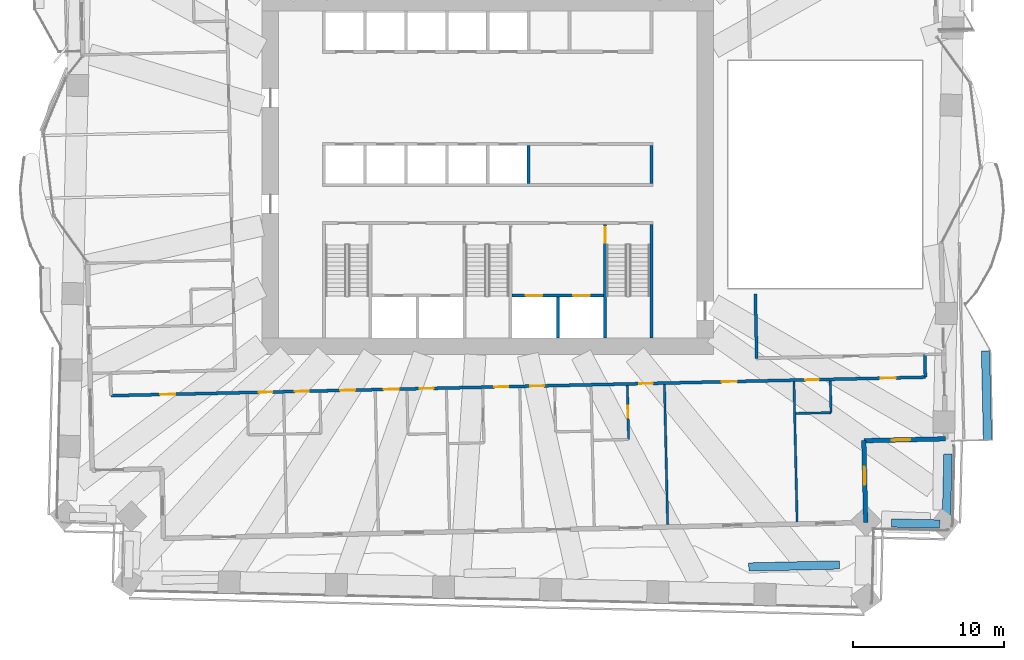
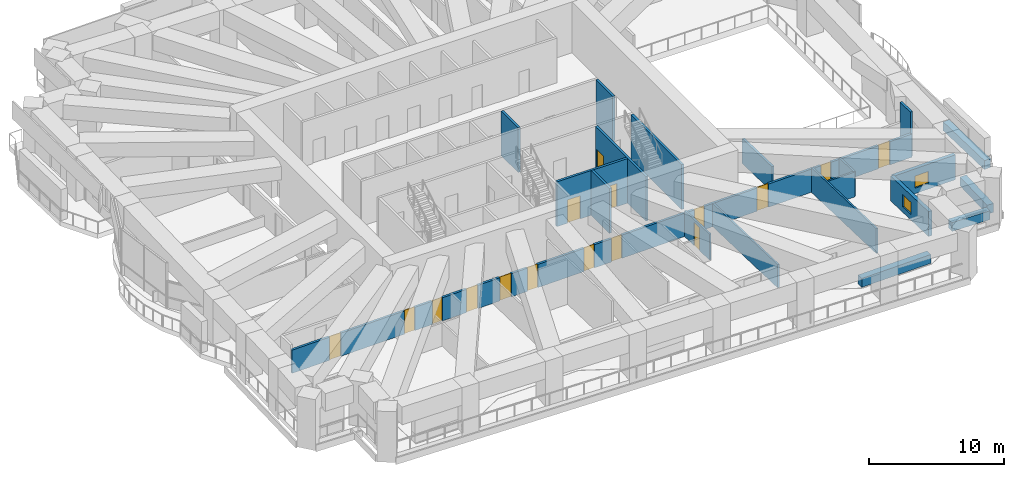
# One storey, part 12 of 20: 20 walls, 16 doors, 2 windows, 18 openings.
"""IFC4 building model written with IfcOpenShell, lengths in metres."""

from ifc_helpers import new_model, si_unit, direction, frame, frame_2d, origin, place, context, subcontext, project, spatial, rectangle, extrude, material, layer, layer_set, type_object, element, fill, save


model = new_model("IFC4")

# Units and contexts
model_context = context("Model", 3, precision=1e-05, world=origin(), true_north=direction((0.0, 1.0)))
body_context = subcontext(model_context, "Body", "Model", "MODEL_VIEW")
ifc_project = project(units=[si_unit("LENGTHUNIT", "METRE"), si_unit("AREAUNIT", "SQUARE_METRE"), si_unit("VOLUMEUNIT", "CUBIC_METRE"), si_unit("PLANEANGLEUNIT", "RADIAN"), si_unit("MASSUNIT", "GRAM", prefix="KILO")], contexts=[model_context])

# Site, building, storey
site_placement = place(None, origin())
site = spatial("IfcSite", under=ifc_project, at=site_placement, CompositionType="ELEMENT")
building_placement = place(site_placement, origin())
building = spatial("IfcBuilding", under=site, at=building_placement, Name="Mangrove Gate Tower", CompositionType="ELEMENT")
storey_placement = place(building_placement, frame((0.0, 0.0, 74.699951171875)))
storey = spatial("IfcBuildingStorey", under=building, at=storey_placement, Name="L18", CompositionType="ELEMENT", Elevation=74.699951171875)

# Wall
ifc_material_1 = material(Name="Concrete C32/40", Category="concrete")
ifc_layer_1 = layer(ifc_material_1, 0.199951171875)
ifc_layer_set_1 = layer_set([ifc_layer_1], Name="Core room wall 200 C32/40")
wall_type_1 = type_object("IfcWallType", Name="Core room wall 200 C32/40", PredefinedType="STANDARD", material=ifc_layer_set_1)
wall_1_placement = place(storey_placement, frame((10.800048828125, -0.60009765625, 0.0), z_axis=(0.0, 0.0, 1.0), x_axis=(0.0, 1.0, 0.0)))
element("IfcWall", 1, at=wall_1_placement, inside=storey, type_object=wall_type_1, Name="WALL-L18-CORE-25", PredefinedType="STANDARD", context=body_context, shape_type="SweptSolid", body=[
    extrude(rectangle(XDim=2.5, YDim=0.199951171875, at=frame_2d((1.25, 0.0))), origin(), (0.0, 0.0, 1.0), 4.050048828125),
])

# Wall, openings, doors
ifc_material_2 = material(Name="Concrete C70/85", Category="concrete")
ifc_layer_2 = layer(ifc_material_2, 0.199951171875)
ifc_layer_set_2 = layer_set([ifc_layer_2], Name="Core shaft wall 200 C70/85")
wall_type_2 = type_object("IfcWallType", Name="Core shaft wall 200 C70/85", PredefinedType="SHEAR", material=ifc_layer_set_2)
wall_2_placement = place(storey_placement, frame((1.60009765625, -8.0, 0.0), z_axis=(0.0, 0.0, 1.0), x_axis=(1.0, 0.0, 0.0)))
wall_2 = element("IfcWall", 2, at=wall_2_placement, inside=storey, type_object=wall_type_2, Name="WALL-L18-CORE-17", PredefinedType="SHEAR", context=body_context, shape_type="SweptSolid", body=[
    extrude(rectangle(XDim=6.0498046875, YDim=0.199951171875, at=frame_2d((3.02490234375, 0.0))), origin(), (0.0, 0.0, 1.0), 4.050048828125),
])
opening_1_placement = place(wall_2_placement, frame((0.91259765625, 0.0, 0.0)))
opening_1 = element("IfcOpeningElement", 3, at=opening_1_placement, cuts=wall_2, Name="Opening LD", PredefinedType="OPENING", context=body_context, shape_type="SweptSolid", body=[
    extrude(rectangle(XDim=1.10009765625, YDim=2.10009765625, at=frame_2d((0.550048828125, 1.050048828125))), frame((0.0, 0.10986328125, 0.0), z_axis=(0.0, -1.0, 0.0), x_axis=(1.0, 0.0, 0.0)), (0.0, 0.0, 1.0), 0.219970703125),
])
opening_2_placement = place(wall_2_placement, frame((4.03759765625, 0.0, 0.0)))
opening_2 = element("IfcOpeningElement", 4, at=opening_2_placement, cuts=wall_2, Name="Opening LD", PredefinedType="OPENING", context=body_context, shape_type="SweptSolid", body=[
    extrude(rectangle(XDim=1.10009765625, YDim=2.10009765625, at=frame_2d((0.550048828125, 1.050048828125))), frame((0.0, 0.10986328125, 0.0), z_axis=(0.0, -1.0, 0.0), x_axis=(1.0, 0.0, 0.0)), (0.0, 0.0, 1.0), 0.219970703125),
])
ifc_material_3 = material(Name="Stainless steel 316", Category="steel")
door_type_1 = type_object("IfcDoorType", Name="Lift landing door 1100x2100", OperationType="SLIDING_TO_LEFT", PredefinedType="DOOR", material=ifc_material_3)
door_1_placement = place(opening_1_placement, origin())
door_1 = element("IfcDoor", 5, at=door_1_placement, inside=storey, type_object=door_type_1, Name="Landing door LD FFL1", OperationType="SLIDING_TO_LEFT", OverallHeight=2.10009765625, OverallWidth=1.10009765625, PredefinedType="DOOR", context=body_context, shape_type="SweptSolid", body=[
    extrude(rectangle(XDim=1.10009765625, YDim=2.10009765625, at=frame_2d((0.550048828125, 1.050048828125))), frame((0.0, 0.02490234375, 0.0), z_axis=(0.0, -1.0, 0.0), x_axis=(1.0, 0.0, 0.0)), (0.0, 0.0, 1.0), 0.050048828125),
])
fill(opening_1, door_1)
door_2_placement = place(opening_2_placement, origin())
door_2 = element("IfcDoor", 6, at=door_2_placement, inside=storey, type_object=door_type_1, Name="Landing door LD FFL2", OperationType="SLIDING_TO_LEFT", OverallHeight=2.10009765625, OverallWidth=1.10009765625, PredefinedType="DOOR", context=body_context, shape_type="SweptSolid", body=[
    extrude(rectangle(XDim=1.10009765625, YDim=2.10009765625, at=frame_2d((0.550048828125, 1.050048828125))), frame((0.0, 0.02490234375, 0.0), z_axis=(0.0, -1.0, 0.0), x_axis=(1.0, 0.0, 0.0)), (0.0, 0.0, 1.0), 0.050048828125),
])
fill(opening_2, door_2)

# Walls
wall_3_placement = place(storey_placement, frame((4.625, -10.800048828125, 0.0), z_axis=(0.0, 0.0, 1.0), x_axis=(0.0, 1.0, 0.0)))
element("IfcWall", 7, at=wall_3_placement, inside=storey, type_object=wall_type_2, Name="WALL-L18-CORE-18", PredefinedType="SHEAR", context=body_context, shape_type="SweptSolid", body=[
    extrude(rectangle(XDim=2.699951171875, YDim=0.199951171875, at=frame_2d((1.35009765625, 0.0))), origin(), (0.0, 0.0, 1.0), 4.050048828125),
])
wall_4_placement = place(storey_placement, frame((2.699951171875, -0.60009765625, 0.0), z_axis=(0.0, 0.0, 1.0), x_axis=(0.0, 1.0, 0.0)))
element("IfcWall", 8, at=wall_4_placement, inside=storey, type_object=wall_type_2, Name="WALL-L18-CORE-24", PredefinedType="SHEAR", context=body_context, shape_type="SweptSolid", body=[
    extrude(rectangle(XDim=2.5, YDim=0.199951171875, at=frame_2d((1.25, 0.0))), origin(), (0.0, 0.0, 1.0), 4.050048828125),
])

# Wall, opening, door
ifc_material_4 = material(Name="Concrete C70/85", Category="concrete")
ifc_layer_3 = layer(ifc_material_4, 0.199951171875)
ifc_layer_set_3 = layer_set([ifc_layer_3], Name="Core stair wall 200 C70/85")
wall_type_3 = type_object("IfcWallType", Name="Core stair wall 200 C70/85", PredefinedType="SHEAR", material=ifc_layer_set_3)
wall_5_placement = place(storey_placement, frame((7.75, -10.800048828125, 0.0), z_axis=(0.0, 0.0, 1.0), x_axis=(0.0, 1.0, 0.0)))
wall_5 = element("IfcWall", 9, at=wall_5_placement, inside=storey, type_object=wall_type_3, Name="WALL-L18-CORE-13", PredefinedType="SHEAR", context=body_context, shape_type="SweptSolid", body=[
    extrude(rectangle(XDim=7.5, YDim=0.199951171875, at=frame_2d((3.75, 0.0))), origin(), (0.0, 0.0, 1.0), 4.050048828125),
])
opening_3_placement = place(wall_5_placement, frame((6.300048828125, 0.0, 0.0)))
opening_3 = element("IfcOpeningElement", 10, at=opening_3_placement, cuts=wall_5, Name="Opening STD10", PredefinedType="OPENING", context=body_context, shape_type="SweptSolid", body=[
    extrude(rectangle(XDim=1.0, YDim=2.10009765625, at=frame_2d((0.5, 1.050048828125))), frame((0.0, 0.10986328125, 0.0), z_axis=(0.0, -1.0, 0.0), x_axis=(1.0, 0.0, 0.0)), (0.0, 0.0, 1.0), 0.219970703125),
])
ifc_material_5 = material(Name="Fire-rated steel door set", Category="steel")
door_type_2 = type_object("IfcDoorType", Name="Stair door FD60 1000x2100", OperationType="SINGLE_SWING_RIGHT", PredefinedType="DOOR", material=ifc_material_5)
door_3_placement = place(opening_3_placement, origin())
door_3 = element("IfcDoor", 11, at=door_3_placement, inside=storey, type_object=door_type_2, Name="Stair door Stair 3 from fire-fighting lobby", OperationType="SINGLE_SWING_RIGHT", OverallHeight=2.10009765625, OverallWidth=1.0, PredefinedType="DOOR", context=body_context, shape_type="SweptSolid", body=[
    extrude(rectangle(XDim=1.0, YDim=2.10009765625, at=frame_2d((0.5, 1.050048828125))), frame((0.0, 0.02490234375, 0.0), z_axis=(0.0, -1.0, 0.0), x_axis=(1.0, 0.0, 0.0)), (0.0, 0.0, 1.0), 0.050048828125),
])
fill(opening_3, door_3)

# Wall
wall_6_placement = place(storey_placement, frame((10.800048828125, -10.800048828125, 0.0), z_axis=(0.0, 0.0, 1.0), x_axis=(0.0, 1.0, 0.0)))
element("IfcWall", 12, at=wall_6_placement, inside=storey, type_object=wall_type_3, Name="WALL-L18-CORE-14", PredefinedType="SHEAR", context=body_context, shape_type="SweptSolid", body=[
    extrude(rectangle(XDim=7.5, YDim=0.199951171875, at=frame_2d((3.75, 0.0))), origin(), (0.0, 0.0, 1.0), 4.050048828125),
])

# Wall, openings, doors
ifc_material_6 = material(Name="Gypsum board on steel stud, EI 60", Category="steel")
ifc_layer_4 = layer(ifc_material_6, 0.199951171875)
ifc_layer_set_4 = layer_set([ifc_layer_4], Name="Corridor wall EI 60")
wall_type_4 = type_object("IfcWallType", Name="Corridor wall EI 60", PredefinedType="PARTITIONING", material=ifc_layer_set_4)
wall_7_placement = place(storey_placement, frame((-24.8798828125, -14.60498046875, 0.0), z_axis=(0.0, 0.0, 1.0), x_axis=(0.999742652859, 0.022685415006, 0.0)))
wall_7 = element("IfcWall", 13, at=wall_7_placement, inside=storey, type_object=wall_type_4, Name="WALL-L18-021", PredefinedType="PARTITIONING", context=body_context, shape_type="SweptSolid", body=[
    extrude(rectangle(XDim=53.77783203125, YDim=0.199951171875, at=frame_2d((26.888916015625, 0.0))), origin(), (0.0, 0.0, 1.0), 2.10009765625),
])
opening_4_placement = place(wall_7_placement, frame((3.256103515625, 0.0, 0.0)))
opening_4 = element("IfcOpeningElement", 14, at=opening_4_placement, cuts=wall_7, Name="Opening AD", PredefinedType="OPENING", context=body_context, shape_type="SweptSolid", body=[
    extrude(rectangle(XDim=1.0, YDim=2.10009765625, at=frame_2d((0.5, 1.050048828125))), frame((0.0, 0.10986328125, 0.0), z_axis=(0.0, -1.0, 0.0), x_axis=(1.0, 0.0, 0.0)), (0.0, 0.0, 1.0), 0.219970703125),
])
opening_5_placement = place(wall_7_placement, frame((9.756103515625, 0.0, 0.0)))
opening_5 = element("IfcOpeningElement", 15, at=opening_5_placement, cuts=wall_7, Name="Opening SD", PredefinedType="OPENING", context=body_context, shape_type="SweptSolid", body=[
    extrude(rectangle(XDim=0.89990234375, YDim=2.10009765625, at=frame_2d((0.449951171875, 1.050048828125))), frame((0.0, 0.10986328125, 0.0), z_axis=(0.0, -1.0, 0.0), x_axis=(1.0, 0.0, 0.0)), (0.0, 0.0, 1.0), 0.219970703125),
])
opening_6_placement = place(wall_7_placement, frame((15.131103515625, 0.0, 0.0)))
opening_6 = element("IfcOpeningElement", 16, at=opening_6_placement, cuts=wall_7, Name="Opening AD", PredefinedType="OPENING", context=body_context, shape_type="SweptSolid", body=[
    extrude(rectangle(XDim=1.0, YDim=2.10009765625, at=frame_2d((0.5, 1.050048828125))), frame((0.0, 0.10986328125, 0.0), z_axis=(0.0, -1.0, 0.0), x_axis=(1.0, 0.0, 0.0)), (0.0, 0.0, 1.0), 0.219970703125),
])
opening_7_placement = place(wall_7_placement, frame((12.156005859375, 0.0, 0.0)))
opening_7 = element("IfcOpeningElement", 17, at=opening_7_placement, cuts=wall_7, Name="Opening SD", PredefinedType="OPENING", context=body_context, shape_type="SweptSolid", body=[
    extrude(rectangle(XDim=0.89990234375, YDim=2.10009765625, at=frame_2d((0.449951171875, 1.050048828125))), frame((0.0, 0.10986328125, 0.0), z_axis=(0.0, -1.0, 0.0), x_axis=(1.0, 0.0, 0.0)), (0.0, 0.0, 1.0), 0.219970703125),
])
opening_8_placement = place(wall_7_placement, frame((18.006103515625, 0.0, 0.0)))
opening_8 = element("IfcOpeningElement", 18, at=opening_8_placement, cuts=wall_7, Name="Opening AD", PredefinedType="OPENING", context=body_context, shape_type="SweptSolid", body=[
    extrude(rectangle(XDim=1.0, YDim=2.10009765625, at=frame_2d((0.5, 1.050048828125))), frame((0.0, 0.10986328125, 0.0), z_axis=(0.0, -1.0, 0.0), x_axis=(1.0, 0.0, 0.0)), (0.0, 0.0, 1.0), 0.219970703125),
])
opening_9_placement = place(wall_7_placement, frame((20.406005859375, 0.0, 0.0)))
opening_9 = element("IfcOpeningElement", 19, at=opening_9_placement, cuts=wall_7, Name="Opening SD", PredefinedType="OPENING", context=body_context, shape_type="SweptSolid", body=[
    extrude(rectangle(XDim=0.89990234375, YDim=2.10009765625, at=frame_2d((0.449951171875, 1.050048828125))), frame((0.0, 0.10986328125, 0.0), z_axis=(0.0, -1.0, 0.0), x_axis=(1.0, 0.0, 0.0)), (0.0, 0.0, 1.0), 0.219970703125),
])
opening_10_placement = place(wall_7_placement, frame((25.3310546875, 0.0, 0.0)))
opening_10 = element("IfcOpeningElement", 20, at=opening_10_placement, cuts=wall_7, Name="Opening BD", PredefinedType="OPENING", context=body_context, shape_type="SweptSolid", body=[
    extrude(rectangle(XDim=0.89990234375, YDim=2.10009765625, at=frame_2d((0.449951171875, 1.050048828125))), frame((0.0, 0.10986328125, 0.0), z_axis=(0.0, -1.0, 0.0), x_axis=(1.0, 0.0, 0.0)), (0.0, 0.0, 1.0), 0.219970703125),
])
opening_11_placement = place(wall_7_placement, frame((27.7060546875, 0.0, 0.0)))
opening_11 = element("IfcOpeningElement", 21, at=opening_11_placement, cuts=wall_7, Name="Opening BD", PredefinedType="OPENING", context=body_context, shape_type="SweptSolid", body=[
    extrude(rectangle(XDim=0.89990234375, YDim=2.10009765625, at=frame_2d((0.449951171875, 1.050048828125))), frame((0.0, 0.10986328125, 0.0), z_axis=(0.0, -1.0, 0.0), x_axis=(1.0, 0.0, 0.0)), (0.0, 0.0, 1.0), 0.219970703125),
])
opening_12_placement = place(wall_7_placement, frame((34.881103515625, 0.0, 0.0)))
opening_12 = element("IfcOpeningElement", 22, at=opening_12_placement, cuts=wall_7, Name="Opening BD", PredefinedType="OPENING", context=body_context, shape_type="SweptSolid", body=[
    extrude(rectangle(XDim=0.89990234375, YDim=2.10009765625, at=frame_2d((0.449951171875, 1.050048828125))), frame((0.0, 0.10986328125, 0.0), z_axis=(0.0, -1.0, 0.0), x_axis=(1.0, 0.0, 0.0)), (0.0, 0.0, 1.0), 0.219970703125),
])
opening_13_placement = place(wall_7_placement, frame((40.3310546875, 0.0, 0.0)))
opening_13 = element("IfcOpeningElement", 23, at=opening_13_placement, cuts=wall_7, Name="Opening AD", PredefinedType="OPENING", context=body_context, shape_type="SweptSolid", body=[
    extrude(rectangle(XDim=1.0, YDim=2.10009765625, at=frame_2d((0.5, 1.050048828125))), frame((0.0, 0.10986328125, 0.0), z_axis=(0.0, -1.0, 0.0), x_axis=(1.0, 0.0, 0.0)), (0.0, 0.0, 1.0), 0.219970703125),
])
opening_14_placement = place(wall_7_placement, frame((50.842041015625, 0.0, 0.0)))
opening_14 = element("IfcOpeningElement", 24, at=opening_14_placement, cuts=wall_7, Name="Opening AD", PredefinedType="OPENING", context=body_context, shape_type="SweptSolid", body=[
    extrude(rectangle(XDim=1.0, YDim=2.10009765625, at=frame_2d((0.5, 1.050048828125))), frame((0.0, 0.10986328125, 0.0), z_axis=(0.0, -1.0, 0.0), x_axis=(1.0, 0.0, 0.0)), (0.0, 0.0, 1.0), 0.219970703125),
])
opening_15_placement = place(wall_7_placement, frame((45.85595703125, 0.0, 0.0)))
opening_15 = element("IfcOpeningElement", 25, at=opening_15_placement, cuts=wall_7, Name="Opening SD", PredefinedType="OPENING", context=body_context, shape_type="SweptSolid", body=[
    extrude(rectangle(XDim=0.89990234375, YDim=2.10009765625, at=frame_2d((0.449951171875, 1.050048828125))), frame((0.0, 0.10986328125, 0.0), z_axis=(0.0, -1.0, 0.0), x_axis=(1.0, 0.0, 0.0)), (0.0, 0.0, 1.0), 0.219970703125),
])
ifc_material_7 = material(Name="Timber door leaf", Category="wood")
door_type_3 = type_object("IfcDoorType", Name="Amenity door 1000", OperationType="SINGLE_SWING_LEFT", PredefinedType="DOOR", material=ifc_material_7)
door_4_placement = place(opening_4_placement, origin())
door_4 = element("IfcDoor", 26, at=door_4_placement, inside=storey, type_object=door_type_3, Name="DOOR-L18-LNG-c1a", OperationType="SINGLE_SWING_LEFT", OverallHeight=2.10009765625, OverallWidth=1.0, PredefinedType="DOOR", context=body_context, shape_type="SweptSolid", body=[
    extrude(rectangle(XDim=1.0, YDim=2.10009765625, at=frame_2d((0.5, 1.050048828125))), frame((0.0, 0.02490234375, 0.0), z_axis=(0.0, -1.0, 0.0), x_axis=(1.0, 0.0, 0.0)), (0.0, 0.0, 1.0), 0.050048828125),
])
fill(opening_4, door_4)
door_5_placement = place(opening_6_placement, origin())
door_5 = element("IfcDoor", 27, at=door_5_placement, inside=storey, type_object=door_type_3, Name="DOOR-L18-KIT-c1a", OperationType="SINGLE_SWING_RIGHT", OverallHeight=2.10009765625, OverallWidth=1.0, PredefinedType="DOOR", context=body_context, shape_type="SweptSolid", body=[
    extrude(rectangle(XDim=1.0, YDim=2.10009765625, at=frame_2d((0.5, 1.050048828125))), frame((0.0, 0.02490234375, 0.0), z_axis=(0.0, -1.0, 0.0), x_axis=(1.0, 0.0, 0.0)), (0.0, 0.0, 1.0), 0.050048828125),
])
fill(opening_6, door_5)
door_6_placement = place(opening_8_placement, origin())
door_6 = element("IfcDoor", 28, at=door_6_placement, inside=storey, type_object=door_type_3, Name="DOOR-L18-STU-c1a", OperationType="SINGLE_SWING_LEFT", OverallHeight=2.10009765625, OverallWidth=1.0, PredefinedType="DOOR", context=body_context, shape_type="SweptSolid", body=[
    extrude(rectangle(XDim=1.0, YDim=2.10009765625, at=frame_2d((0.5, 1.050048828125))), frame((0.0, 0.02490234375, 0.0), z_axis=(0.0, -1.0, 0.0), x_axis=(1.0, 0.0, 0.0)), (0.0, 0.0, 1.0), 0.050048828125),
])
fill(opening_8, door_6)
door_7_placement = place(opening_13_placement, origin())
door_7 = element("IfcDoor", 29, at=door_7_placement, inside=storey, type_object=door_type_3, Name="DOOR-L18-LNG-c3a", OperationType="SINGLE_SWING_RIGHT", OverallHeight=2.10009765625, OverallWidth=1.0, PredefinedType="DOOR", context=body_context, shape_type="SweptSolid", body=[
    extrude(rectangle(XDim=1.0, YDim=2.10009765625, at=frame_2d((0.5, 1.050048828125))), frame((0.0, 0.02490234375, 0.0), z_axis=(0.0, -1.0, 0.0), x_axis=(1.0, 0.0, 0.0)), (0.0, 0.0, 1.0), 0.050048828125),
])
fill(opening_13, door_7)
door_8_placement = place(opening_14_placement, origin())
door_8 = element("IfcDoor", 30, at=door_8_placement, inside=storey, type_object=door_type_3, Name="DOOR-L18-KIT-c3a", OperationType="SINGLE_SWING_LEFT", OverallHeight=2.10009765625, OverallWidth=1.0, PredefinedType="DOOR", context=body_context, shape_type="SweptSolid", body=[
    extrude(rectangle(XDim=1.0, YDim=2.10009765625, at=frame_2d((0.5, 1.050048828125))), frame((0.0, 0.02490234375, 0.0), z_axis=(0.0, -1.0, 0.0), x_axis=(1.0, 0.0, 0.0)), (0.0, 0.0, 1.0), 0.050048828125),
])
fill(opening_14, door_8)
ifc_material_8 = material(Name="Timber door leaf", Category="wood")
door_type_4 = type_object("IfcDoorType", Name="Bedroom door 900", OperationType="SINGLE_SWING_LEFT", PredefinedType="DOOR", material=ifc_material_8)
door_9_placement = place(opening_10_placement, origin())
door_9 = element("IfcDoor", 31, at=door_9_placement, inside=storey, type_object=door_type_4, Name="DOOR-L18-BED-c101", OperationType="SINGLE_SWING_LEFT", OverallHeight=2.10009765625, OverallWidth=0.89990234375, PredefinedType="DOOR", context=body_context, shape_type="SweptSolid", body=[
    extrude(rectangle(XDim=0.89990234375, YDim=2.10009765625, at=frame_2d((0.449951171875, 1.050048828125))), frame((0.0, 0.02490234375, 0.0), z_axis=(0.0, -1.0, 0.0), x_axis=(1.0, 0.0, 0.0)), (0.0, 0.0, 1.0), 0.050048828125),
])
fill(opening_10, door_9)
door_10_placement = place(opening_11_placement, origin())
door_10 = element("IfcDoor", 32, at=door_10_placement, inside=storey, type_object=door_type_4, Name="DOOR-L18-BED-c102", OperationType="SINGLE_SWING_RIGHT", OverallHeight=2.10009765625, OverallWidth=0.89990234375, PredefinedType="DOOR", context=body_context, shape_type="SweptSolid", body=[
    extrude(rectangle(XDim=0.89990234375, YDim=2.10009765625, at=frame_2d((0.449951171875, 1.050048828125))), frame((0.0, 0.02490234375, 0.0), z_axis=(0.0, -1.0, 0.0), x_axis=(1.0, 0.0, 0.0)), (0.0, 0.0, 1.0), 0.050048828125),
])
fill(opening_11, door_10)
door_11_placement = place(opening_12_placement, origin())
door_11 = element("IfcDoor", 33, at=door_11_placement, inside=storey, type_object=door_type_4, Name="DOOR-L18-BED-c203", OperationType="SINGLE_SWING_LEFT", OverallHeight=2.10009765625, OverallWidth=0.89990234375, PredefinedType="DOOR", context=body_context, shape_type="SweptSolid", body=[
    extrude(rectangle(XDim=0.89990234375, YDim=2.10009765625, at=frame_2d((0.449951171875, 1.050048828125))), frame((0.0, 0.02490234375, 0.0), z_axis=(0.0, -1.0, 0.0), x_axis=(1.0, 0.0, 0.0)), (0.0, 0.0, 1.0), 0.050048828125),
])
fill(opening_12, door_11)
ifc_material_9 = material(Name="Timber door leaf", Category="wood")
door_type_5 = type_object("IfcDoorType", Name="Service room door 900", OperationType="SINGLE_SWING_LEFT", PredefinedType="DOOR", material=ifc_material_9)
door_12_placement = place(opening_5_placement, origin())
door_12 = element("IfcDoor", 34, at=door_12_placement, inside=storey, type_object=door_type_5, Name="DOOR-L18-WC-c1a", OperationType="SINGLE_SWING_LEFT", OverallHeight=2.10009765625, OverallWidth=0.89990234375, PredefinedType="DOOR", context=body_context, shape_type="SweptSolid", body=[
    extrude(rectangle(XDim=0.89990234375, YDim=2.10009765625, at=frame_2d((0.449951171875, 1.050048828125))), frame((0.0, 0.02490234375, 0.0), z_axis=(0.0, -1.0, 0.0), x_axis=(1.0, 0.0, 0.0)), (0.0, 0.0, 1.0), 0.050048828125),
])
fill(opening_5, door_12)
door_13_placement = place(opening_7_placement, origin())
door_13 = element("IfcDoor", 35, at=door_13_placement, inside=storey, type_object=door_type_5, Name="DOOR-L18-WC-c1b", OperationType="SINGLE_SWING_RIGHT", OverallHeight=2.10009765625, OverallWidth=0.89990234375, PredefinedType="DOOR", context=body_context, shape_type="SweptSolid", body=[
    extrude(rectangle(XDim=0.89990234375, YDim=2.10009765625, at=frame_2d((0.449951171875, 1.050048828125))), frame((0.0, 0.02490234375, 0.0), z_axis=(0.0, -1.0, 0.0), x_axis=(1.0, 0.0, 0.0)), (0.0, 0.0, 1.0), 0.050048828125),
])
fill(opening_7, door_13)
door_14_placement = place(opening_9_placement, origin())
door_14 = element("IfcDoor", 36, at=door_14_placement, inside=storey, type_object=door_type_5, Name="DOOR-L18-AWC-c1a", OperationType="SINGLE_SWING_LEFT", OverallHeight=2.10009765625, OverallWidth=0.89990234375, PredefinedType="DOOR", context=body_context, shape_type="SweptSolid", body=[
    extrude(rectangle(XDim=0.89990234375, YDim=2.10009765625, at=frame_2d((0.449951171875, 1.050048828125))), frame((0.0, 0.02490234375, 0.0), z_axis=(0.0, -1.0, 0.0), x_axis=(1.0, 0.0, 0.0)), (0.0, 0.0, 1.0), 0.050048828125),
])
fill(opening_9, door_14)
door_15_placement = place(opening_15_placement, origin())
door_15 = element("IfcDoor", 37, at=door_15_placement, inside=storey, type_object=door_type_5, Name="DOOR-L18-LIN-c3a", OperationType="SINGLE_SWING_RIGHT", OverallHeight=2.10009765625, OverallWidth=0.89990234375, PredefinedType="DOOR", context=body_context, shape_type="SweptSolid", body=[
    extrude(rectangle(XDim=0.89990234375, YDim=2.10009765625, at=frame_2d((0.449951171875, 1.050048828125))), frame((0.0, 0.02490234375, 0.0), z_axis=(0.0, -1.0, 0.0), x_axis=(1.0, 0.0, 0.0)), (0.0, 0.0, 1.0), 0.050048828125),
])
fill(opening_15, door_15)

# Walls
wall_8_placement = place(storey_placement, frame((28.887939453125, -13.385009765625, 0.0), z_axis=(0.0, 0.0, 1.0), x_axis=(-0.022617910375, 0.999744182344, 0.0)))
element("IfcWall", 38, at=wall_8_placement, inside=storey, type_object=wall_type_4, Name="WALL-L18-023", PredefinedType="PARTITIONING", context=body_context, shape_type="SweptSolid", body=[
    extrude(rectangle(XDim=1.50048828125, YDim=0.199951171875, at=frame_2d((0.750244140625, 0.0))), origin(), (0.0, 0.0, 1.0), 4.050048828125),
])
wall_9_placement = place(storey_placement, frame((17.757080078125, -12.136962890625, 0.0), z_axis=(0.0, 0.0, 1.0), x_axis=(-0.022718785711, 0.999741895079, 0.0)))
element("IfcWall", 39, at=wall_9_placement, inside=storey, type_object=wall_type_4, Name="WALL-L18-028", PredefinedType="PARTITIONING", context=body_context, shape_type="SweptSolid", body=[
    extrude(rectangle(XDim=4.23388671875, YDim=0.199951171875, at=frame_2d((2.116943359375, 0.0))), origin(), (0.0, 0.0, 1.0), 2.25),
])

# Wall, opening, window
ifc_material_10 = material(Name="Limestone", Category="masonry")
ifc_layer_5 = layer(ifc_material_10, 0.0400390625, Name="Limestone cladding")
ifc_material_11 = material(Name="Ventilated air gap")
ifc_layer_6 = layer(ifc_material_11, 0.0400390625, Name="Ventilated cavity")
ifc_material_12 = material(Name="Mineral wool insulation")
ifc_layer_7 = layer(ifc_material_12, 0.06005859375, Name="Insulation")
ifc_material_13 = material(Name="Breather membrane")
ifc_layer_8 = layer(ifc_material_13, 0.001953125, Name="Breather membrane")
ifc_material_14 = material(Name="Concrete C20/25 blockwork", Category="masonry")
ifc_layer_9 = layer(ifc_material_14, 0.14990234375, Name="Blockwork backing wall")
ifc_material_15 = material(Name="Gypsum plaster")
ifc_layer_10 = layer(ifc_material_15, 0.008056640625, Name="Internal plaster")
ifc_layer_set_5 = layer_set([ifc_layer_5, ifc_layer_6, ifc_layer_7, ifc_layer_8, ifc_layer_9, ifc_layer_10], Name="External wall 300 limestone cladding")
wall_type_5 = type_object("IfcWallType", Name="External wall 300 limestone cladding", PredefinedType="SOLIDWALL", material=ifc_layer_set_5)
wall_10_placement = place(storey_placement, frame((24.950927734375, -22.97705078125, 0.0), z_axis=(0.0, 0.0, 1.0), x_axis=(-0.022784045517, 0.999740409941, 0.0)))
wall_10 = element("IfcWall", 40, at=wall_10_placement, inside=storey, type_object=wall_type_5, Name="WALL-L18-E14", PredefinedType="SOLIDWALL", context=body_context, shape_type="SweptSolid", body=[
    extrude(rectangle(XDim=5.400634765625, YDim=0.300048828125, at=frame_2d((2.7001953125, 0.0))), origin(), (0.0, 0.0, 1.0), 2.25),
])
opening_16_placement = place(wall_10_placement, frame((2.488037109375, 0.0, 0.5)))
opening_16 = element("IfcOpeningElement", 41, at=opening_16_placement, cuts=wall_10, Name="Opening W6", PredefinedType="OPENING", context=body_context, shape_type="SweptSolid", body=[
    extrude(rectangle(XDim=1.199951171875, YDim=1.10009765625, at=frame_2d((0.60009765625, 0.550048828125))), frame((0.0, 0.159912109375, 0.0), z_axis=(0.0, -1.0, 0.0), x_axis=(1.0, 0.0, 0.0)), (0.0, 0.0, 1.0), 0.320068359375),
])
ifc_material_16 = material(Name="Aluminium frame with double-glazed low-e glass", Category="aluminium")
window_type = type_object("IfcWindowType", Name="Low window 1200x1100", PartitioningType="SINGLE_PANEL", PredefinedType="WINDOW", material=ifc_material_16)
window_1_placement = place(opening_16_placement, origin())
window_1 = element("IfcWindow", 42, at=window_1_placement, inside=storey, type_object=window_type, Name="WIN-L18-E14-1", OverallHeight=1.10009765625, OverallWidth=1.199951171875, PartitioningType="SINGLE_PANEL", PredefinedType="WINDOW", context=body_context, shape_type="SweptSolid", body=[
    extrude(rectangle(XDim=1.199951171875, YDim=1.10009765625, at=frame_2d((0.60009765625, 0.550048828125))), frame((0.0, 0.030029296875, 0.0), z_axis=(0.0, -1.0, 0.0), x_axis=(1.0, 0.0, 0.0)), (0.0, 0.0, 1.0), 0.06005859375),
])
fill(opening_16, window_1)

wall_11_placement = place(storey_placement, frame((24.827880859375, -17.577880859375, 0.0), z_axis=(0.0, 0.0, 1.0), x_axis=(0.99974143864, 0.022738862475, 0.0)))
wall_11 = element("IfcWall", 43, at=wall_11_placement, inside=storey, type_object=wall_type_5, Name="WALL-L18-S15", PredefinedType="SOLIDWALL", context=body_context, shape_type="SweptSolid", body=[
    extrude(rectangle(XDim=5.400634765625, YDim=0.300048828125, at=frame_2d((2.7001953125, 0.0))), origin(), (0.0, 0.0, 1.0), 2.25),
])
opening_17_placement = place(wall_11_placement, frame((1.85498046875, 0.0, 0.5)))
opening_17 = element("IfcOpeningElement", 44, at=opening_17_placement, cuts=wall_11, Name="Opening W6", PredefinedType="OPENING", context=body_context, shape_type="SweptSolid", body=[
    extrude(rectangle(XDim=1.199951171875, YDim=1.10009765625, at=frame_2d((0.60009765625, 0.550048828125))), frame((0.0, 0.159912109375, 0.0), z_axis=(0.0, -1.0, 0.0), x_axis=(1.0, 0.0, 0.0)), (0.0, 0.0, 1.0), 0.320068359375),
])
window_2_placement = place(opening_17_placement, origin())
window_2 = element("IfcWindow", 45, at=window_2_placement, inside=storey, type_object=window_type, Name="WIN-L18-S15-1", OverallHeight=1.10009765625, OverallWidth=1.199951171875, PartitioningType="SINGLE_PANEL", PredefinedType="WINDOW", context=body_context, shape_type="SweptSolid", body=[
    extrude(rectangle(XDim=1.199951171875, YDim=1.10009765625, at=frame_2d((0.60009765625, 0.550048828125))), frame((0.0, 0.030029296875, 0.0), z_axis=(0.0, -1.0, 0.0), x_axis=(1.0, 0.0, 0.0)), (0.0, 0.0, 1.0), 0.06005859375),
])
fill(opening_17, window_2)

# Walls
ifc_material_17 = material(Name="Gypsum board on steel stud, EI 60", Category="steel")
ifc_layer_11 = layer(ifc_material_17, 0.14990234375)
ifc_layer_set_6 = layer_set([ifc_layer_11], Name="Party wall 150 EI 60")
wall_type_6 = type_object("IfcWallType", Name="Party wall 150 EI 60", PredefinedType="PARTITIONING", material=ifc_layer_set_6)
wall_12_placement = place(storey_placement, frame((11.875, -23.1240234375, 0.0), z_axis=(0.0, 0.0, 1.0), x_axis=(-0.022697424684, 0.999742380272, 0.0)))
element("IfcWall", 46, at=wall_12_placement, inside=storey, type_object=wall_type_6, Name="WALL-L18-006", PredefinedType="PARTITIONING", context=body_context, shape_type="SweptSolid", body=[
    extrude(rectangle(XDim=9.25048828125, YDim=0.14990234375, at=frame_2d((4.625244140625, 0.0))), origin(), (0.0, 0.0, 1.0), 2.10009765625),
])
wall_13_placement = place(storey_placement, frame((20.422119140625, -22.929931640625, 0.0), z_axis=(0.0, 0.0, 1.0), x_axis=(-0.022618288198, 0.999744173796, 0.0)))
element("IfcWall", 47, at=wall_13_placement, inside=storey, type_object=wall_type_6, Name="WALL-L18-007", PredefinedType="PARTITIONING", context=body_context, shape_type="SweptSolid", body=[
    extrude(rectangle(XDim=9.25048828125, YDim=0.14990234375, at=frame_2d((4.625244140625, 0.0))), origin(), (0.0, 0.0, 1.0), 2.25),
])

# Wall, opening, door
wall_14_placement = place(storey_placement, frame((9.2958984375, -17.5, 0.0), z_axis=(0.0, 0.0, 1.0), x_axis=(-0.022635966146, 0.999743773692, 0.0)))
wall_14 = element("IfcWall", 48, at=wall_14_placement, inside=storey, type_object=wall_type_6, Name="WALL-L18-011", PredefinedType="PARTITIONING", context=body_context, shape_type="SweptSolid", body=[
    extrude(rectangle(XDim=3.570068359375, YDim=0.14990234375, at=frame_2d((1.78515625, 0.0))), origin(), (0.0, 0.0, 1.0), 2.35009765625),
])
opening_18_placement = place(wall_14_placement, frame((1.43505859375, 0.0, 0.0)))
opening_18 = element("IfcOpeningElement", 49, at=opening_18_placement, cuts=wall_14, Name="Opening ED", PredefinedType="OPENING", context=body_context, shape_type="SweptSolid", body=[
    extrude(rectangle(XDim=0.800048828125, YDim=2.10009765625, at=frame_2d((0.39990234375, 1.050048828125))), frame((0.0, 0.0849609375, 0.0), z_axis=(0.0, -1.0, 0.0), x_axis=(1.0, 0.0, 0.0)), (0.0, 0.0, 1.0), 0.169921875),
])
ifc_material_18 = material(Name="Timber door leaf", Category="wood")
door_type_6 = type_object("IfcDoorType", Name="En-suite door 800", OperationType="SINGLE_SWING_LEFT", PredefinedType="DOOR", material=ifc_material_18)
door_16_placement = place(opening_18_placement, origin())
door_16 = element("IfcDoor", 50, at=door_16_placement, inside=storey, type_object=door_type_6, Name="DOOR-L18-ENS-c203", OperationType="SINGLE_SWING_LEFT", OverallHeight=2.10009765625, OverallWidth=0.800048828125, PredefinedType="DOOR", context=body_context, shape_type="SweptSolid", body=[
    extrude(rectangle(XDim=0.800048828125, YDim=2.10009765625, at=frame_2d((0.39990234375, 1.050048828125))), frame((0.0, 0.02490234375, 0.0), z_axis=(0.0, -1.0, 0.0), x_axis=(1.0, 0.0, 0.0)), (0.0, 0.0, 1.0), 0.050048828125),
])
fill(opening_18, door_16)

# Walls
wall_15_placement = place(storey_placement, frame((20.339111328125, -15.779052734375, 0.0), z_axis=(0.0, 0.0, 1.0), x_axis=(0.999749954681, 0.022361308448, 0.0)))
element("IfcWall", 51, at=wall_15_placement, inside=storey, type_object=wall_type_6, Name="WALL-L18-019", PredefinedType="PARTITIONING", context=body_context, shape_type="SweptSolid", body=[
    extrude(rectangle(XDim=2.325439453125, YDim=0.14990234375, at=frame_2d((1.16259765625, 0.0))), origin(), (0.0, 0.0, 1.0), 2.25),
])
wall_16_placement = place(storey_placement, frame((22.659912109375, -15.72705078125, 0.0), z_axis=(0.0, 0.0, 1.0), x_axis=(-0.022779486249, 0.999740513837, 0.0)))
element("IfcWall", 52, at=wall_16_placement, inside=storey, type_object=wall_type_6, Name="WALL-L18-020", PredefinedType="PARTITIONING", context=body_context, shape_type="SweptSolid", body=[
    extrude(rectangle(XDim=2.1005859375, YDim=0.14990234375, at=frame_2d((1.05029296875, 0.0))), origin(), (0.0, 0.0, 1.0), 2.25),
])
ifc_material_19 = material(Name="Concrete C32/40", Category="concrete")
ifc_layer_12 = layer(ifc_material_19, 0.199951171875, Name="Planter trough wall")
ifc_material_20 = material(Name="Bituminous waterproofing membrane")
ifc_layer_13 = layer(ifc_material_20, 0.0048828125, Name="Waterproofing")
ifc_material_21 = material(Name="Drainage board and gravel")
ifc_layer_14 = layer(ifc_material_21, 0.044921875, Name="Drainage layer")
ifc_material_22 = material(Name="Planting soil")
ifc_layer_15 = layer(ifc_material_22, 0.300048828125, Name="Growing medium")
ifc_layer_set_7 = layer_set([ifc_layer_12, ifc_layer_13, ifc_layer_14, ifc_layer_15], Name="Planter wall 550 C32/40")
wall_type_7 = type_object("IfcWallType", Name="Planter wall 550 C32/40", PredefinedType="USERDEFINED", material=ifc_layer_set_7)
wall_17_placement = place(storey_placement, frame((32.993896484375, -17.5419921875, 0.0), z_axis=(0.0, 0.0, 1.0), x_axis=(-0.022512713257, 0.999746556754, 0.0)))
element("IfcWall", 53, at=wall_17_placement, inside=storey, type_object=wall_type_7, Name="PLANTER L18 E0.1", ObjectType="PLANTER", PredefinedType="USERDEFINED", context=body_context, shape_type="SweptSolid", body=[
    extrude(rectangle(XDim=5.8994140625, YDim=0.550048828125, at=frame_2d((2.94970703125, 0.0))), origin(), (0.0, 0.0, 1.0), 0.800048828125),
])
wall_18_placement = place(storey_placement, frame((17.22998046875, -25.9169921875, 0.0), z_axis=(0.0, 0.0, 1.0), x_axis=(0.999743094499, 0.022665943652, 0.0)))
element("IfcWall", 54, at=wall_18_placement, inside=storey, type_object=wall_type_7, Name="PLANTER L18 S1.1", ObjectType="PLANTER", PredefinedType="USERDEFINED", context=body_context, shape_type="SweptSolid", body=[
    extrude(rectangle(XDim=5.99951171875, YDim=0.550048828125, at=frame_2d((2.999755859375, 0.0))), origin(), (0.0, 0.0, 1.0), 0.800048828125),
])
wall_19_placement = place(storey_placement, frame((30.37890625, -18.4560546875, 0.0), z_axis=(0.0, 0.0, 1.0), x_axis=(-0.02260655623, -0.999744439152, 0.0)))
element("IfcWall", 55, at=wall_19_placement, inside=storey, type_object=wall_type_7, Name="PLANTER L18 T4.1.6", ObjectType="PLANTER", PredefinedType="USERDEFINED", context=body_context, shape_type="SweptSolid", body=[
    extrude(rectangle(XDim=4.200927734375, YDim=0.550048828125, at=frame_2d((2.1005859375, 0.0))), origin(), (0.0, 0.0, 1.0), 0.800048828125),
])
wall_20_placement = place(storey_placement, frame((29.839111328125, -23.0810546875, 0.0), z_axis=(0.0, 0.0, 1.0), x_axis=(-0.999745572019, 0.022556401051, 0.0)))
element("IfcWall", 56, at=wall_20_placement, inside=storey, type_object=wall_type_7, Name="PLANTER L18 T4.2.6", ObjectType="PLANTER", PredefinedType="USERDEFINED", context=body_context, shape_type="SweptSolid", body=[
    extrude(rectangle(XDim=3.19287109375, YDim=0.550048828125, at=frame_2d((1.596435546875, 0.0))), origin(), (0.0, 0.0, 1.0), 0.800048828125),
])

save(model, "model.ifc")
